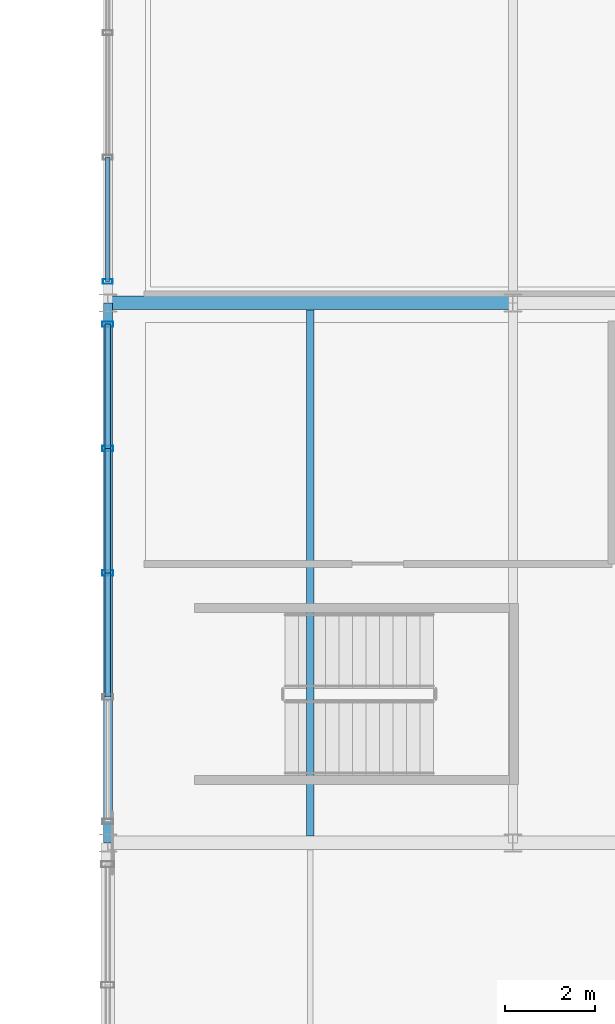
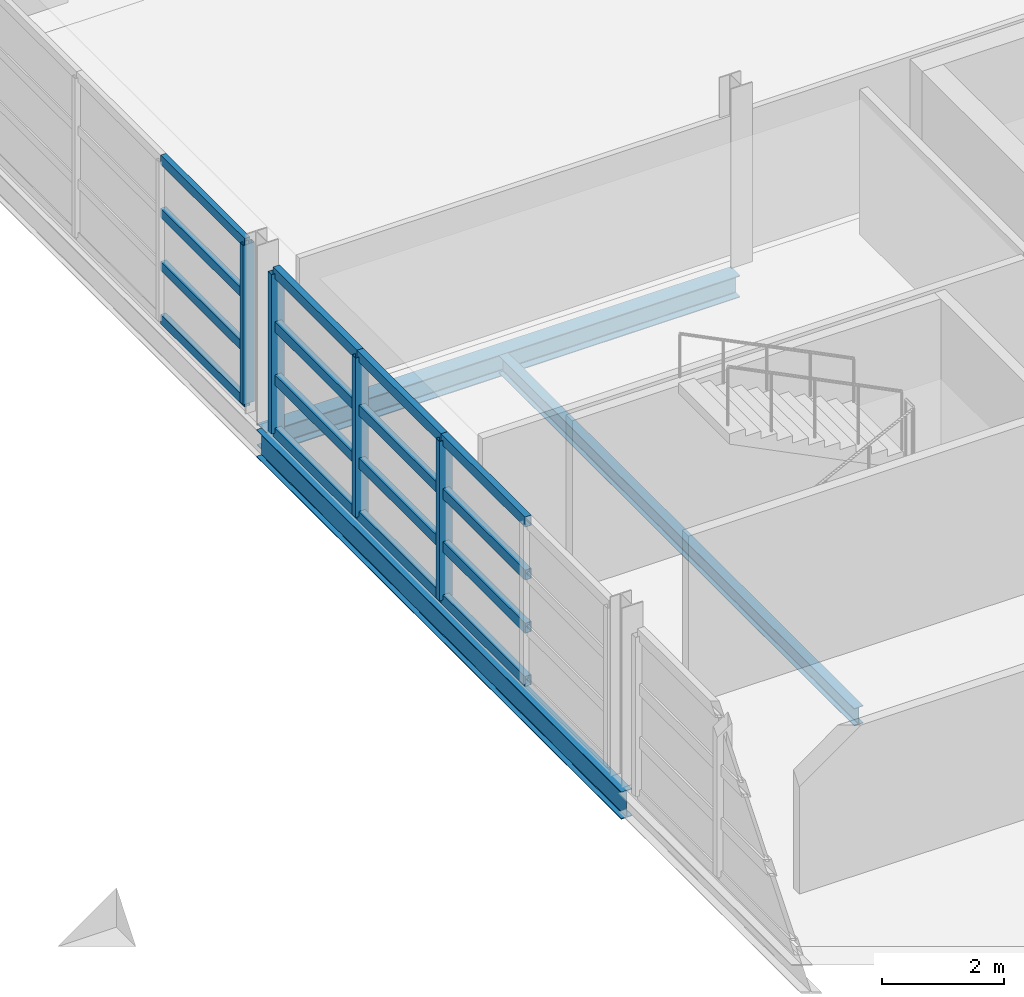
# One storey, part 60 of 116: 20 members, 3 beams, 2 elements without a shape of their own.
"""IFC4 building model written with IfcOpenShell, lengths in metres."""

from ifc_helpers import new_model, si_unit, direction, frame, origin, origin_2d, place, context, subcontext, project, spatial, hollow_rectangle, i_section, extrude, material, material_profile, profile_set, type_object, element, aggregate, save


model = new_model("IFC4")

# Units and contexts
model_context = context("Model", 3, precision=1e-05, world=origin(), true_north=direction((0.0, 1.0)))
body_context = subcontext(model_context, "Body", "Model", "MODEL_VIEW")
ifc_project = project(units=[si_unit("LENGTHUNIT", "METRE"), si_unit("AREAUNIT", "SQUARE_METRE"), si_unit("VOLUMEUNIT", "CUBIC_METRE"), si_unit("PLANEANGLEUNIT", "RADIAN"), si_unit("MASSUNIT", "GRAM", prefix="KILO")], contexts=[model_context])

# Site, building, storey
site_placement = place(None, origin())
site = spatial("IfcSite", under=ifc_project, at=site_placement, CompositionType="ELEMENT")
building_placement = place(site_placement, origin())
building = spatial("IfcBuilding", under=site, at=building_placement, Name="Chuanluo Vaults Station", CompositionType="ELEMENT")
storey_placement = place(building_placement, frame((0.0, 0.0, 10.800048828125)))
storey = spatial("IfcBuildingStorey", under=building, at=storey_placement, Name="L02", CompositionType="ELEMENT", Elevation=10.800048828125)

# Beams
ifc_material_1 = material(Name="Steel Q355C", Category="steel")
ifc_material_profile_1 = material_profile(ifc_material_1, i_section(OverallWidth=0.300048828125, OverallDepth=0.43994140625, WebThickness=0.010986328125, FlangeThickness=0.01806640625, FilletRadius=0.02001953125, at=origin_2d()))
ifc_profile_set_1 = profile_set([ifc_material_profile_1], Name="Steel Q355C")
beam_type_1 = type_object("IfcBeamType", Name="BM-GRD-450", PredefinedType="USERDEFINED", material=ifc_profile_set_1)
beam_1_placement = place(storey_placement, frame((136.0, 30.0, -0.4599609375), z_axis=(1.0, 0.0, 0.0), x_axis=(0.0, 1.0, 0.0)))
element("IfcBeam", 1, at=beam_1_placement, inside=storey, type_object=beam_type_1, Name="Floor girder BM:GX:L02:0556", ObjectType="GIRDER", PredefinedType="USERDEFINED", context=body_context, shape_type="SweptSolid", body=[
    extrude(i_section(OverallWidth=0.300048828125, OverallDepth=0.43994140625, WebThickness=0.010986328125, FlangeThickness=0.01806640625, FilletRadius=0.02001953125, at=origin_2d()), origin(), (0.0, 0.0, 1.0), 9.0),
])
ifc_material_2 = material(Name="Steel Q355C", Category="steel")
ifc_material_profile_2 = material_profile(ifc_material_2, i_section(OverallWidth=0.199951171875, OverallDepth=0.550048828125, WebThickness=0.010009765625, FlangeThickness=0.01611328125, FilletRadius=0.01806640625, at=origin_2d()))
ifc_profile_set_2 = profile_set([ifc_material_profile_2], Name="Steel Q355C")
beam_type_2 = type_object("IfcBeamType", Name="BM-GRD-550", PredefinedType="USERDEFINED", material=ifc_profile_set_2)
beam_2_placement = place(storey_placement, frame((136.0, 18.0, -0.51513671875), z_axis=(0.0, 1.0, 0.0), x_axis=(-1.0, 0.0, 0.0)))
element("IfcBeam", 2, at=beam_2_placement, inside=storey, type_object=beam_type_2, Name="Floor girder BM:GY:L02:0636", ObjectType="GIRDER", PredefinedType="USERDEFINED", context=body_context, shape_type="SweptSolid", body=[
    extrude(i_section(OverallWidth=0.199951171875, OverallDepth=0.550048828125, WebThickness=0.010009765625, FlangeThickness=0.01611328125, FilletRadius=0.01806640625, at=origin_2d()), origin(), (0.0, 0.0, 1.0), 12.0),
])
ifc_material_3 = material(Name="Steel Q355C", Category="steel")
ifc_material_profile_3 = material_profile(ifc_material_3, i_section(OverallWidth=0.175048828125, OverallDepth=0.35009765625, WebThickness=0.007080078125, FlangeThickness=0.010986328125, FilletRadius=0.013916015625, at=origin_2d()))
ifc_profile_set_3 = profile_set([ifc_material_profile_3], Name="Steel Q355C")
beam_type_3 = type_object("IfcBeamType", Name="BM-SEC-350", PredefinedType="JOIST", material=ifc_profile_set_3)
beam_3_placement = place(storey_placement, frame((140.5, 18.155029296875, -0.4150390625), z_axis=(0.0, 1.0, 0.0), x_axis=(-1.0, 0.0, 0.0)))
element("IfcBeam", 3, at=beam_3_placement, inside=storey, type_object=beam_type_3, Name="Composite secondary joist 0195", PredefinedType="JOIST", context=body_context, shape_type="SweptSolid", body=[
    extrude(i_section(OverallWidth=0.175048828125, OverallDepth=0.35009765625, WebThickness=0.007080078125, FlangeThickness=0.010986328125, FilletRadius=0.013916015625, at=origin_2d()), origin(), (0.0, 0.0, 1.0), 11.68994140625),
])

# Curtain wall, member
ifc_material_4 = material(Name="Anodised aluminium 6063-T6", Category="aluminium")
curtain_wall_type_1 = type_object("IfcCurtainWallType", Name="CW-SYS-24", PredefinedType="NOTDEFINED", material=ifc_material_4)
curtain_wall_1_placement = place(storey_placement, origin())
curtain_wall_1 = element("IfcCurtainWall", 4, at=curtain_wall_1_placement, inside=storey, type_object=curtain_wall_type_1, Name="Retail pavilion L02 facade CW", PredefinedType="NOTDEFINED")
ifc_material_5 = material(Name="Anodised aluminium 6063-T6", Category="aluminium")
ifc_material_profile_4 = material_profile(ifc_material_5, hollow_rectangle(XDim=0.10498046875, YDim=0.219970703125, WallThickness=0.006103515625, at=origin_2d()))
ifc_profile_set_4 = profile_set([ifc_material_profile_4], Name="Anodised aluminium 6063-T6")
member_type_1 = type_object("IfcMemberType", Name="CWM-140", PredefinedType="MULLION", material=ifc_profile_set_4)
member_1_placement = place(storey_placement, frame((136.0, 30.47509765625, 0.0), z_axis=(0.0, 0.0, 1.0), x_axis=(0.0, 1.0, 0.0)))
member_1 = element("IfcMember", 5, at=member_1_placement, type_object=member_type_1, Name="Retail pavilion L02 facade CW mullion 1", PredefinedType="MULLION", context=body_context, shape_type="SweptSolid", body=[
    extrude(hollow_rectangle(XDim=0.10498046875, YDim=0.219970703125, WallThickness=0.006103515625, at=origin_2d()), origin(), (0.0, 0.0, 1.0), 3.199951171875),
])

# Curtain wall, members
ifc_material_6 = material(Name="Anodised aluminium 6063-T6", Category="aluminium")
curtain_wall_type_2 = type_object("IfcCurtainWallType", Name="CW-SYS-23", PredefinedType="NOTDEFINED", material=ifc_material_6)
curtain_wall_2_placement = place(storey_placement, origin())
curtain_wall_2 = element("IfcCurtainWall", 6, at=curtain_wall_2_placement, inside=storey, type_object=curtain_wall_type_2, Name="Retail pavilion L02 facade CW", PredefinedType="NOTDEFINED")
ifc_material_7 = material(Name="Anodised aluminium 6063-T6", Category="aluminium")
ifc_material_profile_5 = material_profile(ifc_material_7, hollow_rectangle(XDim=0.1201171875, YDim=0.25, WallThickness=0.006103515625, at=origin_2d()))
ifc_profile_set_5 = profile_set([ifc_material_profile_5], Name="Anodised aluminium 6063-T6")
member_type_2 = type_object("IfcMemberType", Name="CWM-160", PredefinedType="MULLION", material=ifc_profile_set_5)
member_2_placement = place(storey_placement, frame((136.0, 24.0, 0.0), z_axis=(0.0, 0.0, 1.0), x_axis=(0.0, 1.0, 0.0)))
member_2 = element("IfcMember", 7, at=member_2_placement, type_object=member_type_2, Name="Retail pavilion L02 facade CW mullion 3", PredefinedType="MULLION", context=body_context, shape_type="SweptSolid", body=[
    extrude(hollow_rectangle(XDim=0.1201171875, YDim=0.25, WallThickness=0.006103515625, at=origin_2d()), origin(), (0.0, 0.0, 1.0), 3.199951171875),
])
member_3_placement = place(storey_placement, frame((136.0, 26.762451171875, 0.0), z_axis=(0.0, 0.0, 1.0), x_axis=(0.0, 1.0, 0.0)))
member_3 = element("IfcMember", 8, at=member_3_placement, type_object=member_type_2, Name="Retail pavilion L02 facade CW mullion 4", PredefinedType="MULLION", context=body_context, shape_type="SweptSolid", body=[
    extrude(hollow_rectangle(XDim=0.1201171875, YDim=0.25, WallThickness=0.006103515625, at=origin_2d()), origin(), (0.0, 0.0, 1.0), 3.199951171875),
])
member_4_placement = place(storey_placement, frame((136.0, 29.52490234375, 0.0), z_axis=(0.0, 0.0, 1.0), x_axis=(0.0, 1.0, 0.0)))
member_4 = element("IfcMember", 9, at=member_4_placement, type_object=member_type_2, Name="Retail pavilion L02 facade CW mullion 5", PredefinedType="MULLION", context=body_context, shape_type="SweptSolid", body=[
    extrude(hollow_rectangle(XDim=0.1201171875, YDim=0.25, WallThickness=0.006103515625, at=origin_2d()), origin(), (0.0, 0.0, 1.0), 3.199951171875),
])

# Member
ifc_material_8 = material(Name="Anodised aluminium 6063-T6", Category="aluminium")
ifc_material_profile_6 = material_profile(ifc_material_8, hollow_rectangle(XDim=0.10498046875, YDim=0.18505859375, WallThickness=0.0048828125, at=origin_2d()))
ifc_profile_set_6 = profile_set([ifc_material_profile_6], Name="Anodised aluminium 6063-T6")
member_type_3 = type_object("IfcMemberType", Name="CWT-110", PredefinedType="USERDEFINED", material=ifc_profile_set_6)
member_5_placement = place(storey_placement, frame((136.0, 30.47509765625, 0.0), z_axis=(0.0, 1.0, 0.0), x_axis=(-1.0, 0.0, 0.0)))
member_5 = element("IfcMember", 10, at=member_5_placement, type_object=member_type_3, Name="Retail pavilion L02 facade CW transom 1.1", ObjectType="TRANSOM", PredefinedType="USERDEFINED", context=body_context, shape_type="SweptSolid", body=[
    extrude(hollow_rectangle(XDim=0.10498046875, YDim=0.18505859375, WallThickness=0.0048828125, at=origin_2d()), origin(), (0.0, 0.0, 1.0), 2.762451171875),
])

member_6_placement = place(storey_placement, frame((136.0, 30.47509765625, 1.066650390625), z_axis=(0.0, 1.0, 0.0), x_axis=(-1.0, 0.0, 0.0)))
member_6 = element("IfcMember", 11, at=member_6_placement, type_object=member_type_3, Name="Retail pavilion L02 facade CW transom 1.2", ObjectType="TRANSOM", PredefinedType="USERDEFINED", context=body_context, shape_type="SweptSolid", body=[
    extrude(hollow_rectangle(XDim=0.10498046875, YDim=0.18505859375, WallThickness=0.0048828125, at=origin_2d()), origin(), (0.0, 0.0, 1.0), 2.762451171875),
])

member_7_placement = place(storey_placement, frame((136.0, 30.47509765625, 2.13330078125), z_axis=(0.0, 1.0, 0.0), x_axis=(-1.0, 0.0, 0.0)))
member_7 = element("IfcMember", 12, at=member_7_placement, type_object=member_type_3, Name="Retail pavilion L02 facade CW transom 1.3", ObjectType="TRANSOM", PredefinedType="USERDEFINED", context=body_context, shape_type="SweptSolid", body=[
    extrude(hollow_rectangle(XDim=0.10498046875, YDim=0.18505859375, WallThickness=0.0048828125, at=origin_2d()), origin(), (0.0, 0.0, 1.0), 2.762451171875),
])

member_8_placement = place(storey_placement, frame((136.0, 30.47509765625, 3.199951171875), z_axis=(0.0, 1.0, 0.0), x_axis=(-1.0, 0.0, 0.0)))
member_8 = element("IfcMember", 13, at=member_8_placement, type_object=member_type_3, Name="Retail pavilion L02 facade CW transom 1.4", ObjectType="TRANSOM", PredefinedType="USERDEFINED", context=body_context, shape_type="SweptSolid", body=[
    extrude(hollow_rectangle(XDim=0.10498046875, YDim=0.18505859375, WallThickness=0.0048828125, at=origin_2d()), origin(), (0.0, 0.0, 1.0), 2.762451171875),
])

aggregate(curtain_wall_1, [member_1, member_5, member_6, member_7, member_8])

ifc_material_9 = material(Name="Anodised aluminium 6063-T6", Category="aluminium")
ifc_material_profile_7 = material_profile(ifc_material_9, hollow_rectangle(XDim=0.1201171875, YDim=0.205078125, WallThickness=0.006103515625, at=origin_2d()))
ifc_profile_set_7 = profile_set([ifc_material_profile_7], Name="Anodised aluminium 6063-T6")
member_type_4 = type_object("IfcMemberType", Name="CWT-130", PredefinedType="USERDEFINED", material=ifc_profile_set_7)
member_9_placement = place(storey_placement, frame((136.0, 21.237548828125, 0.0), z_axis=(0.0, 1.0, 0.0), x_axis=(-1.0, 0.0, 0.0)))
member_9 = element("IfcMember", 14, at=member_9_placement, type_object=member_type_4, Name="Retail pavilion L02 facade CW transom 2.1", ObjectType="TRANSOM", PredefinedType="USERDEFINED", context=body_context, shape_type="SweptSolid", body=[
    extrude(hollow_rectangle(XDim=0.1201171875, YDim=0.205078125, WallThickness=0.006103515625, at=origin_2d()), origin(), (0.0, 0.0, 1.0), 2.762451171875),
])

member_10_placement = place(storey_placement, frame((136.0, 21.237548828125, 1.066650390625), z_axis=(0.0, 1.0, 0.0), x_axis=(-1.0, 0.0, 0.0)))
member_10 = element("IfcMember", 15, at=member_10_placement, type_object=member_type_4, Name="Retail pavilion L02 facade CW transom 2.2", ObjectType="TRANSOM", PredefinedType="USERDEFINED", context=body_context, shape_type="SweptSolid", body=[
    extrude(hollow_rectangle(XDim=0.1201171875, YDim=0.205078125, WallThickness=0.006103515625, at=origin_2d()), origin(), (0.0, 0.0, 1.0), 2.762451171875),
])

member_11_placement = place(storey_placement, frame((136.0, 21.237548828125, 2.13330078125), z_axis=(0.0, 1.0, 0.0), x_axis=(-1.0, 0.0, 0.0)))
member_11 = element("IfcMember", 16, at=member_11_placement, type_object=member_type_4, Name="Retail pavilion L02 facade CW transom 2.3", ObjectType="TRANSOM", PredefinedType="USERDEFINED", context=body_context, shape_type="SweptSolid", body=[
    extrude(hollow_rectangle(XDim=0.1201171875, YDim=0.205078125, WallThickness=0.006103515625, at=origin_2d()), origin(), (0.0, 0.0, 1.0), 2.762451171875),
])

member_12_placement = place(storey_placement, frame((136.0, 21.237548828125, 3.199951171875), z_axis=(0.0, 1.0, 0.0), x_axis=(-1.0, 0.0, 0.0)))
member_12 = element("IfcMember", 17, at=member_12_placement, type_object=member_type_4, Name="Retail pavilion L02 facade CW transom 2.4", ObjectType="TRANSOM", PredefinedType="USERDEFINED", context=body_context, shape_type="SweptSolid", body=[
    extrude(hollow_rectangle(XDim=0.1201171875, YDim=0.205078125, WallThickness=0.006103515625, at=origin_2d()), origin(), (0.0, 0.0, 1.0), 2.762451171875),
])

member_13_placement = place(storey_placement, frame((136.0, 24.0, 0.0), z_axis=(0.0, 1.0, 0.0), x_axis=(-1.0, 0.0, 0.0)))
member_13 = element("IfcMember", 18, at=member_13_placement, type_object=member_type_4, Name="Retail pavilion L02 facade CW transom 3.1", ObjectType="TRANSOM", PredefinedType="USERDEFINED", context=body_context, shape_type="SweptSolid", body=[
    extrude(hollow_rectangle(XDim=0.1201171875, YDim=0.205078125, WallThickness=0.006103515625, at=origin_2d()), origin(), (0.0, 0.0, 1.0), 2.762451171875),
])

member_14_placement = place(storey_placement, frame((136.0, 24.0, 1.066650390625), z_axis=(0.0, 1.0, 0.0), x_axis=(-1.0, 0.0, 0.0)))
member_14 = element("IfcMember", 19, at=member_14_placement, type_object=member_type_4, Name="Retail pavilion L02 facade CW transom 3.2", ObjectType="TRANSOM", PredefinedType="USERDEFINED", context=body_context, shape_type="SweptSolid", body=[
    extrude(hollow_rectangle(XDim=0.1201171875, YDim=0.205078125, WallThickness=0.006103515625, at=origin_2d()), origin(), (0.0, 0.0, 1.0), 2.762451171875),
])

member_15_placement = place(storey_placement, frame((136.0, 24.0, 2.13330078125), z_axis=(0.0, 1.0, 0.0), x_axis=(-1.0, 0.0, 0.0)))
member_15 = element("IfcMember", 20, at=member_15_placement, type_object=member_type_4, Name="Retail pavilion L02 facade CW transom 3.3", ObjectType="TRANSOM", PredefinedType="USERDEFINED", context=body_context, shape_type="SweptSolid", body=[
    extrude(hollow_rectangle(XDim=0.1201171875, YDim=0.205078125, WallThickness=0.006103515625, at=origin_2d()), origin(), (0.0, 0.0, 1.0), 2.762451171875),
])

member_16_placement = place(storey_placement, frame((136.0, 24.0, 3.199951171875), z_axis=(0.0, 1.0, 0.0), x_axis=(-1.0, 0.0, 0.0)))
member_16 = element("IfcMember", 21, at=member_16_placement, type_object=member_type_4, Name="Retail pavilion L02 facade CW transom 3.4", ObjectType="TRANSOM", PredefinedType="USERDEFINED", context=body_context, shape_type="SweptSolid", body=[
    extrude(hollow_rectangle(XDim=0.1201171875, YDim=0.205078125, WallThickness=0.006103515625, at=origin_2d()), origin(), (0.0, 0.0, 1.0), 2.762451171875),
])

member_17_placement = place(storey_placement, frame((136.0, 26.762451171875, 0.0), z_axis=(0.0, 1.0, 0.0), x_axis=(-1.0, 0.0, 0.0)))
member_17 = element("IfcMember", 22, at=member_17_placement, type_object=member_type_4, Name="Retail pavilion L02 facade CW transom 4.1", ObjectType="TRANSOM", PredefinedType="USERDEFINED", context=body_context, shape_type="SweptSolid", body=[
    extrude(hollow_rectangle(XDim=0.1201171875, YDim=0.205078125, WallThickness=0.006103515625, at=origin_2d()), origin(), (0.0, 0.0, 1.0), 2.762451171875),
])

member_18_placement = place(storey_placement, frame((136.0, 26.762451171875, 1.066650390625), z_axis=(0.0, 1.0, 0.0), x_axis=(-1.0, 0.0, 0.0)))
member_18 = element("IfcMember", 23, at=member_18_placement, type_object=member_type_4, Name="Retail pavilion L02 facade CW transom 4.2", ObjectType="TRANSOM", PredefinedType="USERDEFINED", context=body_context, shape_type="SweptSolid", body=[
    extrude(hollow_rectangle(XDim=0.1201171875, YDim=0.205078125, WallThickness=0.006103515625, at=origin_2d()), origin(), (0.0, 0.0, 1.0), 2.762451171875),
])

member_19_placement = place(storey_placement, frame((136.0, 26.762451171875, 2.13330078125), z_axis=(0.0, 1.0, 0.0), x_axis=(-1.0, 0.0, 0.0)))
member_19 = element("IfcMember", 24, at=member_19_placement, type_object=member_type_4, Name="Retail pavilion L02 facade CW transom 4.3", ObjectType="TRANSOM", PredefinedType="USERDEFINED", context=body_context, shape_type="SweptSolid", body=[
    extrude(hollow_rectangle(XDim=0.1201171875, YDim=0.205078125, WallThickness=0.006103515625, at=origin_2d()), origin(), (0.0, 0.0, 1.0), 2.762451171875),
])

member_20_placement = place(storey_placement, frame((136.0, 26.762451171875, 3.199951171875), z_axis=(0.0, 1.0, 0.0), x_axis=(-1.0, 0.0, 0.0)))
member_20 = element("IfcMember", 25, at=member_20_placement, type_object=member_type_4, Name="Retail pavilion L02 facade CW transom 4.4", ObjectType="TRANSOM", PredefinedType="USERDEFINED", context=body_context, shape_type="SweptSolid", body=[
    extrude(hollow_rectangle(XDim=0.1201171875, YDim=0.205078125, WallThickness=0.006103515625, at=origin_2d()), origin(), (0.0, 0.0, 1.0), 2.762451171875),
])

aggregate(curtain_wall_2, [member_2, member_3, member_4, member_9, member_10, member_11, member_12, member_13, member_14, member_15, member_16, member_17, member_18, member_19, member_20])

save(model, "model.ifc")
